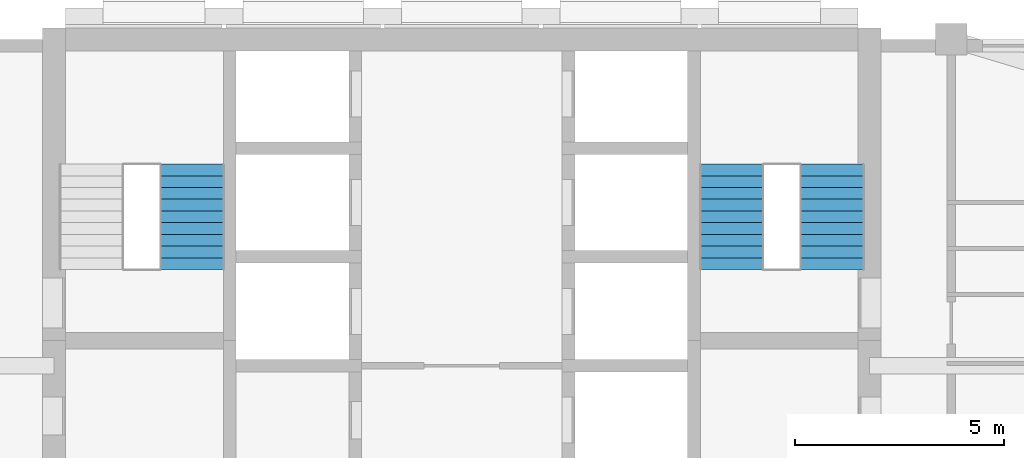
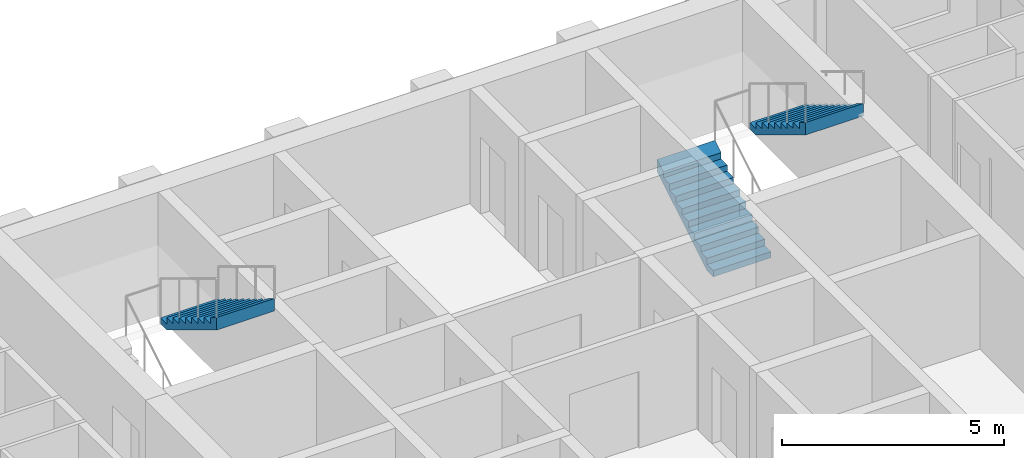
# One storey, part 11 of 14: 3 stair flights, 2 elements without a shape of their own.
"""IFC4 building model written with IfcOpenShell, lengths in metres."""

from ifc_helpers import new_model, si_unit, direction, frame, origin, place, context, subcontext, project, spatial, triangles, material, type_object, element, aggregate, save


model = new_model("IFC4")

# Units and contexts
model_context = context("Model", 3, precision=1e-05, world=origin(), true_north=direction((0.0, 1.0)))
body_context = subcontext(model_context, "Body", "Model", "MODEL_VIEW")
ifc_project = project(units=[si_unit("LENGTHUNIT", "METRE"), si_unit("AREAUNIT", "SQUARE_METRE"), si_unit("VOLUMEUNIT", "CUBIC_METRE"), si_unit("PLANEANGLEUNIT", "RADIAN"), si_unit("MASSUNIT", "GRAM", prefix="KILO")], contexts=[model_context])

# Site, building, storey
site_placement = place(None, origin())
site = spatial("IfcSite", under=ifc_project, at=site_placement, CompositionType="ELEMENT")
building_placement = place(site_placement, origin())
building = spatial("IfcBuilding", under=site, at=building_placement, Name="Ludao Terraces", CompositionType="ELEMENT")
storey_placement = place(building_placement, frame((0.0, 0.0, 182.60009765625)))
storey = spatial("IfcBuildingStorey", under=building, at=storey_placement, Name="L49", CompositionType="ELEMENT", Elevation=182.60009765625)

# Stair, stair flight
ifc_material = material(Name="Concrete C40", Category="concrete")
stair_type = type_object("IfcStairType", Name="INT Stair", PredefinedType="HALF_TURN_STAIR", material=ifc_material)
stair_1_placement = place(storey_placement, origin())
stair_1 = element("IfcStair", 1, at=stair_1_placement, inside=storey, type_object=stair_type, Name="EXIT STAIR 1", PredefinedType="HALF_TURN_STAIR")
stair_flight_type = type_object("IfcStairFlightType", Name="INT Stair flight", PredefinedType="STRAIGHT", material=ifc_material)
stair_flight_1_placement = place(storey_placement, frame((78.550048828125, 81.52001953125, 1.699951171875), z_axis=(0.0, 0.0, 1.0), x_axis=(0.0, -1.0, 0.0)))
stair_flight_1 = element("IfcStairFlight", 2, at=stair_flight_1_placement, type_object=stair_flight_type, Name="ST1 flight 2", NumberOfRisers=10, NumberOfTreads=9, PredefinedType="STRAIGHT", RiserHeight=0.17, TreadLength=0.28, context=body_context, shape_type="Tessellation", body=[
    triangles([(0.0, -0.75, 0.0), (0.0, -0.5, 0.0), (0.0, -0.25, 0.0), (0.0, 0.0, 0.0), (0.0, 0.25, 0.0), (0.0, 0.5, 0.0), (0.0, 0.75, 0.0), (0.0, -0.75, 0.169921875), (0.0, -0.5, 0.169921875), (0.0, -0.25, 0.169921875), (0.0, 0.0, 0.169921875), (0.0, 0.25, 0.169921875), (0.0, 0.5, 0.169921875), (0.0, 0.75, 0.169921875), (0.280029296875, -0.75, 0.169921875), (0.280029296875, -0.5, 0.169921875), (0.280029296875, -0.25, 0.169921875), (0.280029296875, 0.0, 0.169921875), (0.280029296875, 0.25, 0.169921875), (0.280029296875, 0.5, 0.169921875), (0.280029296875, 0.75, 0.169921875), (0.280029296875, -0.75, 0.340087890625), (0.280029296875, -0.5, 0.340087890625), (0.280029296875, -0.25, 0.340087890625), (0.280029296875, 0.0, 0.340087890625), (0.280029296875, 0.25, 0.340087890625), (0.280029296875, 0.5, 0.340087890625), (0.280029296875, 0.75, 0.340087890625), (0.56005859375, -0.75, 0.340087890625), (0.56005859375, -0.5, 0.340087890625), (0.56005859375, -0.25, 0.340087890625), (0.56005859375, 0.0, 0.340087890625), (0.56005859375, 0.25, 0.340087890625), (0.56005859375, 0.5, 0.340087890625), (0.56005859375, 0.75, 0.340087890625), (0.56005859375, -0.75, 0.510009765625), (0.56005859375, -0.5, 0.510009765625), (0.56005859375, -0.25, 0.510009765625), (0.56005859375, 0.0, 0.510009765625), (0.56005859375, 0.25, 0.510009765625), (0.56005859375, 0.5, 0.510009765625), (0.56005859375, 0.75, 0.510009765625), (0.840087890625, -0.75, 0.510009765625), (0.840087890625, -0.5, 0.510009765625), (0.840087890625, -0.25, 0.510009765625), (0.840087890625, 0.0, 0.510009765625), (0.840087890625, 0.25, 0.510009765625), (0.840087890625, 0.5, 0.510009765625), (0.840087890625, 0.75, 0.510009765625), (0.840087890625, -0.75, 0.679931640625), (0.840087890625, -0.5, 0.679931640625), (0.840087890625, -0.25, 0.679931640625), (0.840087890625, 0.0, 0.679931640625), (0.840087890625, 0.25, 0.679931640625), (0.840087890625, 0.5, 0.679931640625), (0.840087890625, 0.75, 0.679931640625), (1.1201171875, -0.75, 0.679931640625), (1.1201171875, -0.5, 0.679931640625), (1.1201171875, -0.25, 0.679931640625), (1.1201171875, 0.0, 0.679931640625), (1.1201171875, 0.25, 0.679931640625), (1.1201171875, 0.5, 0.679931640625), (1.1201171875, 0.75, 0.679931640625), (1.1201171875, -0.75, 0.85009765625), (1.1201171875, -0.5, 0.85009765625), (1.1201171875, -0.25, 0.85009765625), (1.1201171875, 0.0, 0.85009765625), (1.1201171875, 0.25, 0.85009765625), (1.1201171875, 0.5, 0.85009765625), (1.1201171875, 0.75, 0.85009765625), (1.39990234375, -0.75, 0.85009765625), (1.39990234375, -0.5, 0.85009765625), (1.39990234375, -0.25, 0.85009765625), (1.39990234375, 0.0, 0.85009765625), (1.39990234375, 0.25, 0.85009765625), (1.39990234375, 0.5, 0.85009765625), (1.39990234375, 0.75, 0.85009765625), (1.39990234375, -0.75, 1.02001953125), (1.39990234375, -0.5, 1.02001953125), (1.39990234375, -0.25, 1.02001953125), (1.39990234375, 0.0, 1.02001953125), (1.39990234375, 0.25, 1.02001953125), (1.39990234375, 0.5, 1.02001953125), (1.39990234375, 0.75, 1.02001953125), (1.679931640625, -0.75, 1.02001953125), (1.679931640625, -0.5, 1.02001953125), (1.679931640625, -0.25, 1.02001953125), (1.679931640625, 0.0, 1.02001953125), (1.679931640625, 0.25, 1.02001953125), (1.679931640625, 0.5, 1.02001953125), (1.679931640625, 0.75, 1.02001953125), (1.679931640625, -0.75, 1.18994140625), (1.679931640625, -0.5, 1.18994140625), (1.679931640625, -0.25, 1.18994140625), (1.679931640625, 0.0, 1.18994140625), (1.679931640625, 0.25, 1.18994140625), (1.679931640625, 0.5, 1.18994140625), (1.679931640625, 0.75, 1.18994140625), (1.9599609375, -0.75, 1.18994140625), (1.9599609375, -0.5, 1.18994140625), (1.9599609375, -0.25, 1.18994140625), (1.9599609375, 0.0, 1.18994140625), (1.9599609375, 0.25, 1.18994140625), (1.9599609375, 0.5, 1.18994140625), (1.9599609375, 0.75, 1.18994140625), (1.9599609375, -0.75, 1.360107421875), (1.9599609375, -0.5, 1.360107421875), (1.9599609375, -0.25, 1.360107421875), (1.9599609375, 0.0, 1.360107421875), (1.9599609375, 0.25, 1.360107421875), (1.9599609375, 0.5, 1.360107421875), (1.9599609375, 0.75, 1.360107421875), (2.239990234375, -0.75, 1.360107421875), (2.239990234375, -0.5, 1.360107421875), (2.239990234375, -0.25, 1.360107421875), (2.239990234375, 0.0, 1.360107421875), (2.239990234375, 0.25, 1.360107421875), (2.239990234375, 0.5, 1.360107421875), (2.239990234375, 0.75, 1.360107421875), (2.239990234375, -0.75, 1.530029296875), (2.239990234375, -0.5, 1.530029296875), (2.239990234375, -0.25, 1.530029296875), (2.239990234375, 0.0, 1.530029296875), (2.239990234375, 0.25, 1.530029296875), (2.239990234375, 0.5, 1.530029296875), (2.239990234375, 0.75, 1.530029296875), (2.52001953125, -0.75, 1.699951171875), (2.52001953125, -0.5, 1.699951171875), (2.52001953125, -0.25, 1.699951171875), (2.52001953125, 0.0, 1.699951171875), (2.52001953125, 0.25, 1.699951171875), (2.52001953125, 0.5, 1.699951171875), (2.52001953125, 0.75, 1.699951171875), (2.52001953125, -0.75, 1.354736328125), (2.52001953125, -0.5, 1.354736328125), (2.52001953125, -0.25, 1.354736328125), (2.52001953125, 0.0, 1.354736328125), (2.52001953125, 0.25, 1.354736328125), (2.52001953125, 0.5, 1.354736328125), (2.52001953125, 0.75, 1.354736328125), (0.288818359375, -0.75, 0.0), (0.288818359375, -0.5, 0.0), (0.288818359375, -0.25, 0.0), (0.288818359375, 0.0, 0.0), (0.288818359375, 0.25, 0.0), (0.288818359375, 0.5, 0.0), (0.288818359375, 0.75, 0.0)], [[1, 141, 134], [7, 140, 147], [134, 127, 120], [140, 126, 133], [134, 120, 113], [140, 119, 126], [134, 113, 106], [140, 112, 119], [134, 106, 99], [140, 105, 112], [99, 92, 85], [105, 91, 98], [134, 99, 85], [140, 91, 105], [85, 78, 71], [91, 77, 84], [134, 85, 71], [140, 77, 91], [71, 64, 57], [77, 63, 70], [134, 71, 57], [140, 63, 77], [57, 50, 43], [63, 49, 56], [134, 57, 43], [140, 49, 63], [43, 36, 29], [49, 35, 42], [134, 43, 29], [140, 35, 49], [29, 22, 15], [35, 21, 28], [134, 29, 15], [140, 21, 35], [1, 134, 15], [7, 21, 140], [15, 8, 1], [21, 7, 14], [1, 9, 2], [1, 8, 9], [2, 10, 3], [2, 9, 10], [3, 11, 4], [3, 10, 11], [4, 12, 5], [4, 11, 12], [5, 13, 6], [5, 12, 13], [6, 14, 7], [6, 13, 14], [8, 16, 9], [8, 15, 16], [9, 17, 10], [9, 16, 17], [10, 18, 11], [10, 17, 18], [11, 19, 12], [11, 18, 19], [12, 20, 13], [12, 19, 20], [13, 21, 14], [13, 20, 21], [15, 23, 16], [15, 22, 23], [16, 24, 17], [16, 23, 24], [17, 25, 18], [17, 24, 25], [18, 26, 19], [18, 25, 26], [19, 27, 20], [19, 26, 27], [20, 28, 21], [20, 27, 28], [22, 30, 23], [22, 29, 30], [23, 31, 24], [23, 30, 31], [24, 32, 25], [24, 31, 32], [25, 33, 26], [25, 32, 33], [26, 34, 27], [26, 33, 34], [27, 35, 28], [27, 34, 35], [29, 37, 30], [29, 36, 37], [30, 38, 31], [30, 37, 38], [31, 39, 32], [31, 38, 39], [32, 40, 33], [32, 39, 40], [33, 41, 34], [33, 40, 41], [34, 42, 35], [34, 41, 42], [36, 44, 37], [36, 43, 44], [37, 45, 38], [37, 44, 45], [38, 46, 39], [38, 45, 46], [39, 47, 40], [39, 46, 47], [40, 48, 41], [40, 47, 48], [41, 49, 42], [41, 48, 49], [43, 51, 44], [43, 50, 51], [44, 52, 45], [44, 51, 52], [45, 53, 46], [45, 52, 53], [46, 54, 47], [46, 53, 54], [47, 55, 48], [47, 54, 55], [48, 56, 49], [48, 55, 56], [50, 58, 51], [50, 57, 58], [51, 59, 52], [51, 58, 59], [52, 60, 53], [52, 59, 60], [53, 61, 54], [53, 60, 61], [54, 62, 55], [54, 61, 62], [55, 63, 56], [55, 62, 63], [57, 65, 58], [57, 64, 65], [58, 66, 59], [58, 65, 66], [59, 67, 60], [59, 66, 67], [60, 68, 61], [60, 67, 68], [61, 69, 62], [61, 68, 69], [62, 70, 63], [62, 69, 70], [64, 72, 65], [64, 71, 72], [65, 73, 66], [65, 72, 73], [66, 74, 67], [66, 73, 74], [67, 75, 68], [67, 74, 75], [68, 76, 69], [68, 75, 76], [69, 77, 70], [69, 76, 77], [71, 79, 72], [71, 78, 79], [72, 80, 73], [72, 79, 80], [73, 81, 74], [73, 80, 81], [74, 82, 75], [74, 81, 82], [75, 83, 76], [75, 82, 83], [76, 84, 77], [76, 83, 84], [78, 86, 79], [78, 85, 86], [79, 87, 80], [79, 86, 87], [80, 88, 81], [80, 87, 88], [81, 89, 82], [81, 88, 89], [82, 90, 83], [82, 89, 90], [83, 91, 84], [83, 90, 91], [85, 93, 86], [85, 92, 93], [86, 94, 87], [86, 93, 94], [87, 95, 88], [87, 94, 95], [88, 96, 89], [88, 95, 96], [89, 97, 90], [89, 96, 97], [90, 98, 91], [90, 97, 98], [92, 100, 93], [92, 99, 100], [93, 101, 94], [93, 100, 101], [94, 102, 95], [94, 101, 102], [95, 103, 96], [95, 102, 103], [96, 104, 97], [96, 103, 104], [97, 105, 98], [97, 104, 105], [99, 107, 100], [99, 106, 107], [100, 108, 101], [100, 107, 108], [101, 109, 102], [101, 108, 109], [102, 110, 103], [102, 109, 110], [103, 111, 104], [103, 110, 111], [104, 112, 105], [104, 111, 112], [106, 114, 107], [106, 113, 114], [107, 115, 108], [107, 114, 115], [108, 116, 109], [108, 115, 116], [109, 117, 110], [109, 116, 117], [110, 118, 111], [110, 117, 118], [111, 119, 112], [111, 118, 119], [113, 121, 114], [113, 120, 121], [114, 122, 115], [114, 121, 122], [115, 123, 116], [115, 122, 123], [116, 124, 117], [116, 123, 124], [117, 125, 118], [117, 124, 125], [118, 126, 119], [118, 125, 126], [120, 128, 121], [120, 127, 128], [121, 129, 122], [121, 128, 129], [122, 130, 123], [122, 129, 130], [123, 131, 124], [123, 130, 131], [124, 132, 125], [124, 131, 132], [125, 133, 126], [125, 132, 133], [127, 135, 128], [127, 134, 135], [128, 136, 129], [128, 135, 136], [129, 137, 130], [129, 136, 137], [130, 138, 131], [130, 137, 138], [131, 139, 132], [131, 138, 139], [132, 140, 133], [132, 139, 140], [134, 142, 135], [134, 141, 142], [135, 143, 136], [135, 142, 143], [136, 144, 137], [136, 143, 144], [137, 145, 138], [137, 144, 145], [138, 146, 139], [138, 145, 146], [139, 147, 140], [139, 146, 147], [141, 2, 142], [141, 1, 2], [142, 3, 143], [142, 2, 3], [143, 4, 144], [143, 3, 4], [144, 5, 145], [144, 4, 5], [145, 6, 146], [145, 5, 6], [146, 7, 147], [146, 6, 7]], closed=True),
])
aggregate(stair_1, [stair_flight_1])

# Stair, stair flights
stair_2_placement = place(storey_placement, origin())
stair_2 = element("IfcStair", 3, at=stair_2_placement, inside=storey, type_object=stair_type, Name="EXIT STAIR 2", PredefinedType="HALF_TURN_STAIR")
stair_flight_2_placement = place(storey_placement, frame((91.449951171875, 79.0, 0.0), z_axis=(0.0, 0.0, 1.0), x_axis=(0.0, 1.0, 0.0)))
stair_flight_2 = element("IfcStairFlight", 4, at=stair_flight_2_placement, type_object=stair_flight_type, Name="ST2 flight 1", NumberOfRisers=10, NumberOfTreads=9, PredefinedType="STRAIGHT", RiserHeight=0.17, TreadLength=0.28, context=body_context, shape_type="Tessellation", body=[
    triangles([(0.0, -0.75, 0.0), (0.0, -0.5, 0.0), (0.0, -0.25, 0.0), (0.0, 0.0, 0.0), (0.0, 0.25, 0.0), (0.0, 0.5, 0.0), (0.0, 0.75, 0.0), (0.0, -0.75, 0.169921875), (0.0, -0.5, 0.169921875), (0.0, -0.25, 0.169921875), (0.0, 0.0, 0.169921875), (0.0, 0.25, 0.169921875), (0.0, 0.5, 0.169921875), (0.0, 0.75, 0.169921875), (0.280029296875, -0.75, 0.169921875), (0.280029296875, -0.5, 0.169921875), (0.280029296875, -0.25, 0.169921875), (0.280029296875, 0.0, 0.169921875), (0.280029296875, 0.25, 0.169921875), (0.280029296875, 0.5, 0.169921875), (0.280029296875, 0.75, 0.169921875), (0.280029296875, -0.75, 0.340087890625), (0.280029296875, -0.5, 0.340087890625), (0.280029296875, -0.25, 0.340087890625), (0.280029296875, 0.0, 0.340087890625), (0.280029296875, 0.25, 0.340087890625), (0.280029296875, 0.5, 0.340087890625), (0.280029296875, 0.75, 0.340087890625), (0.56005859375, -0.75, 0.340087890625), (0.56005859375, -0.5, 0.340087890625), (0.56005859375, -0.25, 0.340087890625), (0.56005859375, 0.0, 0.340087890625), (0.56005859375, 0.25, 0.340087890625), (0.56005859375, 0.5, 0.340087890625), (0.56005859375, 0.75, 0.340087890625), (0.56005859375, -0.75, 0.510009765625), (0.56005859375, -0.5, 0.510009765625), (0.56005859375, -0.25, 0.510009765625), (0.56005859375, 0.0, 0.510009765625), (0.56005859375, 0.25, 0.510009765625), (0.56005859375, 0.5, 0.510009765625), (0.56005859375, 0.75, 0.510009765625), (0.840087890625, -0.75, 0.510009765625), (0.840087890625, -0.5, 0.510009765625), (0.840087890625, -0.25, 0.510009765625), (0.840087890625, 0.0, 0.510009765625), (0.840087890625, 0.25, 0.510009765625), (0.840087890625, 0.5, 0.510009765625), (0.840087890625, 0.75, 0.510009765625), (0.840087890625, -0.75, 0.679931640625), (0.840087890625, -0.5, 0.679931640625), (0.840087890625, -0.25, 0.679931640625), (0.840087890625, 0.0, 0.679931640625), (0.840087890625, 0.25, 0.679931640625), (0.840087890625, 0.5, 0.679931640625), (0.840087890625, 0.75, 0.679931640625), (1.1201171875, -0.75, 0.679931640625), (1.1201171875, -0.5, 0.679931640625), (1.1201171875, -0.25, 0.679931640625), (1.1201171875, 0.0, 0.679931640625), (1.1201171875, 0.25, 0.679931640625), (1.1201171875, 0.5, 0.679931640625), (1.1201171875, 0.75, 0.679931640625), (1.1201171875, -0.75, 0.85009765625), (1.1201171875, -0.5, 0.85009765625), (1.1201171875, -0.25, 0.85009765625), (1.1201171875, 0.0, 0.85009765625), (1.1201171875, 0.25, 0.85009765625), (1.1201171875, 0.5, 0.85009765625), (1.1201171875, 0.75, 0.85009765625), (1.39990234375, -0.75, 0.85009765625), (1.39990234375, -0.5, 0.85009765625), (1.39990234375, -0.25, 0.85009765625), (1.39990234375, 0.0, 0.85009765625), (1.39990234375, 0.25, 0.85009765625), (1.39990234375, 0.5, 0.85009765625), (1.39990234375, 0.75, 0.85009765625), (1.39990234375, -0.75, 1.02001953125), (1.39990234375, -0.5, 1.02001953125), (1.39990234375, -0.25, 1.02001953125), (1.39990234375, 0.0, 1.02001953125), (1.39990234375, 0.25, 1.02001953125), (1.39990234375, 0.5, 1.02001953125), (1.39990234375, 0.75, 1.02001953125), (1.679931640625, -0.75, 1.02001953125), (1.679931640625, -0.5, 1.02001953125), (1.679931640625, -0.25, 1.02001953125), (1.679931640625, 0.0, 1.02001953125), (1.679931640625, 0.25, 1.02001953125), (1.679931640625, 0.5, 1.02001953125), (1.679931640625, 0.75, 1.02001953125), (1.679931640625, -0.75, 1.18994140625), (1.679931640625, -0.5, 1.18994140625), (1.679931640625, -0.25, 1.18994140625), (1.679931640625, 0.0, 1.18994140625), (1.679931640625, 0.25, 1.18994140625), (1.679931640625, 0.5, 1.18994140625), (1.679931640625, 0.75, 1.18994140625), (1.9599609375, -0.75, 1.18994140625), (1.9599609375, -0.5, 1.18994140625), (1.9599609375, -0.25, 1.18994140625), (1.9599609375, 0.0, 1.18994140625), (1.9599609375, 0.25, 1.18994140625), (1.9599609375, 0.5, 1.18994140625), (1.9599609375, 0.75, 1.18994140625), (1.9599609375, -0.75, 1.360107421875), (1.9599609375, -0.5, 1.360107421875), (1.9599609375, -0.25, 1.360107421875), (1.9599609375, 0.0, 1.360107421875), (1.9599609375, 0.25, 1.360107421875), (1.9599609375, 0.5, 1.360107421875), (1.9599609375, 0.75, 1.360107421875), (2.239990234375, -0.75, 1.360107421875), (2.239990234375, -0.5, 1.360107421875), (2.239990234375, -0.25, 1.360107421875), (2.239990234375, 0.0, 1.360107421875), (2.239990234375, 0.25, 1.360107421875), (2.239990234375, 0.5, 1.360107421875), (2.239990234375, 0.75, 1.360107421875), (2.239990234375, -0.75, 1.530029296875), (2.239990234375, -0.5, 1.530029296875), (2.239990234375, -0.25, 1.530029296875), (2.239990234375, 0.0, 1.530029296875), (2.239990234375, 0.25, 1.530029296875), (2.239990234375, 0.5, 1.530029296875), (2.239990234375, 0.75, 1.530029296875), (2.52001953125, -0.75, 1.699951171875), (2.52001953125, -0.5, 1.699951171875), (2.52001953125, -0.25, 1.699951171875), (2.52001953125, 0.0, 1.699951171875), (2.52001953125, 0.25, 1.699951171875), (2.52001953125, 0.5, 1.699951171875), (2.52001953125, 0.75, 1.699951171875), (2.52001953125, -0.75, 1.354736328125), (2.52001953125, -0.5, 1.354736328125), (2.52001953125, -0.25, 1.354736328125), (2.52001953125, 0.0, 1.354736328125), (2.52001953125, 0.25, 1.354736328125), (2.52001953125, 0.5, 1.354736328125), (2.52001953125, 0.75, 1.354736328125), (0.288818359375, -0.75, 0.0), (0.288818359375, -0.5, 0.0), (0.288818359375, -0.25, 0.0), (0.288818359375, 0.0, 0.0), (0.288818359375, 0.25, 0.0), (0.288818359375, 0.5, 0.0), (0.288818359375, 0.75, 0.0)], [[1, 141, 134], [7, 140, 147], [134, 127, 120], [140, 126, 133], [134, 120, 113], [140, 119, 126], [134, 113, 106], [140, 112, 119], [134, 106, 99], [140, 105, 112], [99, 92, 85], [105, 91, 98], [134, 99, 85], [140, 91, 105], [85, 78, 71], [91, 77, 84], [134, 85, 71], [140, 77, 91], [71, 64, 57], [77, 63, 70], [134, 71, 57], [140, 63, 77], [57, 50, 43], [63, 49, 56], [134, 57, 43], [140, 49, 63], [43, 36, 29], [49, 35, 42], [134, 43, 29], [140, 35, 49], [29, 22, 15], [35, 21, 28], [134, 29, 15], [140, 21, 35], [1, 134, 15], [7, 21, 140], [15, 8, 1], [21, 7, 14], [1, 9, 2], [1, 8, 9], [2, 10, 3], [2, 9, 10], [3, 11, 4], [3, 10, 11], [4, 12, 5], [4, 11, 12], [5, 13, 6], [5, 12, 13], [6, 14, 7], [6, 13, 14], [8, 16, 9], [8, 15, 16], [9, 17, 10], [9, 16, 17], [10, 18, 11], [10, 17, 18], [11, 19, 12], [11, 18, 19], [12, 20, 13], [12, 19, 20], [13, 21, 14], [13, 20, 21], [15, 23, 16], [15, 22, 23], [16, 24, 17], [16, 23, 24], [17, 25, 18], [17, 24, 25], [18, 26, 19], [18, 25, 26], [19, 27, 20], [19, 26, 27], [20, 28, 21], [20, 27, 28], [22, 30, 23], [22, 29, 30], [23, 31, 24], [23, 30, 31], [24, 32, 25], [24, 31, 32], [25, 33, 26], [25, 32, 33], [26, 34, 27], [26, 33, 34], [27, 35, 28], [27, 34, 35], [29, 37, 30], [29, 36, 37], [30, 38, 31], [30, 37, 38], [31, 39, 32], [31, 38, 39], [32, 40, 33], [32, 39, 40], [33, 41, 34], [33, 40, 41], [34, 42, 35], [34, 41, 42], [36, 44, 37], [36, 43, 44], [37, 45, 38], [37, 44, 45], [38, 46, 39], [38, 45, 46], [39, 47, 40], [39, 46, 47], [40, 48, 41], [40, 47, 48], [41, 49, 42], [41, 48, 49], [43, 51, 44], [43, 50, 51], [44, 52, 45], [44, 51, 52], [45, 53, 46], [45, 52, 53], [46, 54, 47], [46, 53, 54], [47, 55, 48], [47, 54, 55], [48, 56, 49], [48, 55, 56], [50, 58, 51], [50, 57, 58], [51, 59, 52], [51, 58, 59], [52, 60, 53], [52, 59, 60], [53, 61, 54], [53, 60, 61], [54, 62, 55], [54, 61, 62], [55, 63, 56], [55, 62, 63], [57, 65, 58], [57, 64, 65], [58, 66, 59], [58, 65, 66], [59, 67, 60], [59, 66, 67], [60, 68, 61], [60, 67, 68], [61, 69, 62], [61, 68, 69], [62, 70, 63], [62, 69, 70], [64, 72, 65], [64, 71, 72], [65, 73, 66], [65, 72, 73], [66, 74, 67], [66, 73, 74], [67, 75, 68], [67, 74, 75], [68, 76, 69], [68, 75, 76], [69, 77, 70], [69, 76, 77], [71, 79, 72], [71, 78, 79], [72, 80, 73], [72, 79, 80], [73, 81, 74], [73, 80, 81], [74, 82, 75], [74, 81, 82], [75, 83, 76], [75, 82, 83], [76, 84, 77], [76, 83, 84], [78, 86, 79], [78, 85, 86], [79, 87, 80], [79, 86, 87], [80, 88, 81], [80, 87, 88], [81, 89, 82], [81, 88, 89], [82, 90, 83], [82, 89, 90], [83, 91, 84], [83, 90, 91], [85, 93, 86], [85, 92, 93], [86, 94, 87], [86, 93, 94], [87, 95, 88], [87, 94, 95], [88, 96, 89], [88, 95, 96], [89, 97, 90], [89, 96, 97], [90, 98, 91], [90, 97, 98], [92, 100, 93], [92, 99, 100], [93, 101, 94], [93, 100, 101], [94, 102, 95], [94, 101, 102], [95, 103, 96], [95, 102, 103], [96, 104, 97], [96, 103, 104], [97, 105, 98], [97, 104, 105], [99, 107, 100], [99, 106, 107], [100, 108, 101], [100, 107, 108], [101, 109, 102], [101, 108, 109], [102, 110, 103], [102, 109, 110], [103, 111, 104], [103, 110, 111], [104, 112, 105], [104, 111, 112], [106, 114, 107], [106, 113, 114], [107, 115, 108], [107, 114, 115], [108, 116, 109], [108, 115, 116], [109, 117, 110], [109, 116, 117], [110, 118, 111], [110, 117, 118], [111, 119, 112], [111, 118, 119], [113, 121, 114], [113, 120, 121], [114, 122, 115], [114, 121, 122], [115, 123, 116], [115, 122, 123], [116, 124, 117], [116, 123, 124], [117, 125, 118], [117, 124, 125], [118, 126, 119], [118, 125, 126], [120, 128, 121], [120, 127, 128], [121, 129, 122], [121, 128, 129], [122, 130, 123], [122, 129, 130], [123, 131, 124], [123, 130, 131], [124, 132, 125], [124, 131, 132], [125, 133, 126], [125, 132, 133], [127, 135, 128], [127, 134, 135], [128, 136, 129], [128, 135, 136], [129, 137, 130], [129, 136, 137], [130, 138, 131], [130, 137, 138], [131, 139, 132], [131, 138, 139], [132, 140, 133], [132, 139, 140], [134, 142, 135], [134, 141, 142], [135, 143, 136], [135, 142, 143], [136, 144, 137], [136, 143, 144], [137, 145, 138], [137, 144, 145], [138, 146, 139], [138, 145, 146], [139, 147, 140], [139, 146, 147], [141, 2, 142], [141, 1, 2], [142, 3, 143], [142, 2, 3], [143, 4, 144], [143, 3, 4], [144, 5, 145], [144, 4, 5], [145, 6, 146], [145, 5, 6], [146, 7, 147], [146, 6, 7]], closed=True),
])
stair_flight_3_placement = place(storey_placement, frame((93.85009765625, 81.52001953125, 1.699951171875), z_axis=(0.0, 0.0, 1.0), x_axis=(0.0, -1.0, 0.0)))
stair_flight_3 = element("IfcStairFlight", 5, at=stair_flight_3_placement, type_object=stair_flight_type, Name="ST2 flight 2", NumberOfRisers=10, NumberOfTreads=9, PredefinedType="STRAIGHT", RiserHeight=0.17, TreadLength=0.28, context=body_context, shape_type="Tessellation", body=[
    triangles([(0.0, -0.75, 0.0), (0.0, -0.5, 0.0), (0.0, -0.25, 0.0), (0.0, 0.0, 0.0), (0.0, 0.25, 0.0), (0.0, 0.5, 0.0), (0.0, 0.75, 0.0), (0.0, -0.75, 0.169921875), (0.0, -0.5, 0.169921875), (0.0, -0.25, 0.169921875), (0.0, 0.0, 0.169921875), (0.0, 0.25, 0.169921875), (0.0, 0.5, 0.169921875), (0.0, 0.75, 0.169921875), (0.280029296875, -0.75, 0.169921875), (0.280029296875, -0.5, 0.169921875), (0.280029296875, -0.25, 0.169921875), (0.280029296875, 0.0, 0.169921875), (0.280029296875, 0.25, 0.169921875), (0.280029296875, 0.5, 0.169921875), (0.280029296875, 0.75, 0.169921875), (0.280029296875, -0.75, 0.340087890625), (0.280029296875, -0.5, 0.340087890625), (0.280029296875, -0.25, 0.340087890625), (0.280029296875, 0.0, 0.340087890625), (0.280029296875, 0.25, 0.340087890625), (0.280029296875, 0.5, 0.340087890625), (0.280029296875, 0.75, 0.340087890625), (0.56005859375, -0.75, 0.340087890625), (0.56005859375, -0.5, 0.340087890625), (0.56005859375, -0.25, 0.340087890625), (0.56005859375, 0.0, 0.340087890625), (0.56005859375, 0.25, 0.340087890625), (0.56005859375, 0.5, 0.340087890625), (0.56005859375, 0.75, 0.340087890625), (0.56005859375, -0.75, 0.510009765625), (0.56005859375, -0.5, 0.510009765625), (0.56005859375, -0.25, 0.510009765625), (0.56005859375, 0.0, 0.510009765625), (0.56005859375, 0.25, 0.510009765625), (0.56005859375, 0.5, 0.510009765625), (0.56005859375, 0.75, 0.510009765625), (0.840087890625, -0.75, 0.510009765625), (0.840087890625, -0.5, 0.510009765625), (0.840087890625, -0.25, 0.510009765625), (0.840087890625, 0.0, 0.510009765625), (0.840087890625, 0.25, 0.510009765625), (0.840087890625, 0.5, 0.510009765625), (0.840087890625, 0.75, 0.510009765625), (0.840087890625, -0.75, 0.679931640625), (0.840087890625, -0.5, 0.679931640625), (0.840087890625, -0.25, 0.679931640625), (0.840087890625, 0.0, 0.679931640625), (0.840087890625, 0.25, 0.679931640625), (0.840087890625, 0.5, 0.679931640625), (0.840087890625, 0.75, 0.679931640625), (1.1201171875, -0.75, 0.679931640625), (1.1201171875, -0.5, 0.679931640625), (1.1201171875, -0.25, 0.679931640625), (1.1201171875, 0.0, 0.679931640625), (1.1201171875, 0.25, 0.679931640625), (1.1201171875, 0.5, 0.679931640625), (1.1201171875, 0.75, 0.679931640625), (1.1201171875, -0.75, 0.85009765625), (1.1201171875, -0.5, 0.85009765625), (1.1201171875, -0.25, 0.85009765625), (1.1201171875, 0.0, 0.85009765625), (1.1201171875, 0.25, 0.85009765625), (1.1201171875, 0.5, 0.85009765625), (1.1201171875, 0.75, 0.85009765625), (1.39990234375, -0.75, 0.85009765625), (1.39990234375, -0.5, 0.85009765625), (1.39990234375, -0.25, 0.85009765625), (1.39990234375, 0.0, 0.85009765625), (1.39990234375, 0.25, 0.85009765625), (1.39990234375, 0.5, 0.85009765625), (1.39990234375, 0.75, 0.85009765625), (1.39990234375, -0.75, 1.02001953125), (1.39990234375, -0.5, 1.02001953125), (1.39990234375, -0.25, 1.02001953125), (1.39990234375, 0.0, 1.02001953125), (1.39990234375, 0.25, 1.02001953125), (1.39990234375, 0.5, 1.02001953125), (1.39990234375, 0.75, 1.02001953125), (1.679931640625, -0.75, 1.02001953125), (1.679931640625, -0.5, 1.02001953125), (1.679931640625, -0.25, 1.02001953125), (1.679931640625, 0.0, 1.02001953125), (1.679931640625, 0.25, 1.02001953125), (1.679931640625, 0.5, 1.02001953125), (1.679931640625, 0.75, 1.02001953125), (1.679931640625, -0.75, 1.18994140625), (1.679931640625, -0.5, 1.18994140625), (1.679931640625, -0.25, 1.18994140625), (1.679931640625, 0.0, 1.18994140625), (1.679931640625, 0.25, 1.18994140625), (1.679931640625, 0.5, 1.18994140625), (1.679931640625, 0.75, 1.18994140625), (1.9599609375, -0.75, 1.18994140625), (1.9599609375, -0.5, 1.18994140625), (1.9599609375, -0.25, 1.18994140625), (1.9599609375, 0.0, 1.18994140625), (1.9599609375, 0.25, 1.18994140625), (1.9599609375, 0.5, 1.18994140625), (1.9599609375, 0.75, 1.18994140625), (1.9599609375, -0.75, 1.360107421875), (1.9599609375, -0.5, 1.360107421875), (1.9599609375, -0.25, 1.360107421875), (1.9599609375, 0.0, 1.360107421875), (1.9599609375, 0.25, 1.360107421875), (1.9599609375, 0.5, 1.360107421875), (1.9599609375, 0.75, 1.360107421875), (2.239990234375, -0.75, 1.360107421875), (2.239990234375, -0.5, 1.360107421875), (2.239990234375, -0.25, 1.360107421875), (2.239990234375, 0.0, 1.360107421875), (2.239990234375, 0.25, 1.360107421875), (2.239990234375, 0.5, 1.360107421875), (2.239990234375, 0.75, 1.360107421875), (2.239990234375, -0.75, 1.530029296875), (2.239990234375, -0.5, 1.530029296875), (2.239990234375, -0.25, 1.530029296875), (2.239990234375, 0.0, 1.530029296875), (2.239990234375, 0.25, 1.530029296875), (2.239990234375, 0.5, 1.530029296875), (2.239990234375, 0.75, 1.530029296875), (2.52001953125, -0.75, 1.699951171875), (2.52001953125, -0.5, 1.699951171875), (2.52001953125, -0.25, 1.699951171875), (2.52001953125, 0.0, 1.699951171875), (2.52001953125, 0.25, 1.699951171875), (2.52001953125, 0.5, 1.699951171875), (2.52001953125, 0.75, 1.699951171875), (2.52001953125, -0.75, 1.354736328125), (2.52001953125, -0.5, 1.354736328125), (2.52001953125, -0.25, 1.354736328125), (2.52001953125, 0.0, 1.354736328125), (2.52001953125, 0.25, 1.354736328125), (2.52001953125, 0.5, 1.354736328125), (2.52001953125, 0.75, 1.354736328125), (0.288818359375, -0.75, 0.0), (0.288818359375, -0.5, 0.0), (0.288818359375, -0.25, 0.0), (0.288818359375, 0.0, 0.0), (0.288818359375, 0.25, 0.0), (0.288818359375, 0.5, 0.0), (0.288818359375, 0.75, 0.0)], [[1, 141, 134], [7, 140, 147], [134, 127, 120], [140, 126, 133], [134, 120, 113], [140, 119, 126], [134, 113, 106], [140, 112, 119], [134, 106, 99], [140, 105, 112], [99, 92, 85], [105, 91, 98], [134, 99, 85], [140, 91, 105], [85, 78, 71], [91, 77, 84], [134, 85, 71], [140, 77, 91], [71, 64, 57], [77, 63, 70], [134, 71, 57], [140, 63, 77], [57, 50, 43], [63, 49, 56], [134, 57, 43], [140, 49, 63], [43, 36, 29], [49, 35, 42], [134, 43, 29], [140, 35, 49], [29, 22, 15], [35, 21, 28], [134, 29, 15], [140, 21, 35], [1, 134, 15], [7, 21, 140], [15, 8, 1], [21, 7, 14], [1, 9, 2], [1, 8, 9], [2, 10, 3], [2, 9, 10], [3, 11, 4], [3, 10, 11], [4, 12, 5], [4, 11, 12], [5, 13, 6], [5, 12, 13], [6, 14, 7], [6, 13, 14], [8, 16, 9], [8, 15, 16], [9, 17, 10], [9, 16, 17], [10, 18, 11], [10, 17, 18], [11, 19, 12], [11, 18, 19], [12, 20, 13], [12, 19, 20], [13, 21, 14], [13, 20, 21], [15, 23, 16], [15, 22, 23], [16, 24, 17], [16, 23, 24], [17, 25, 18], [17, 24, 25], [18, 26, 19], [18, 25, 26], [19, 27, 20], [19, 26, 27], [20, 28, 21], [20, 27, 28], [22, 30, 23], [22, 29, 30], [23, 31, 24], [23, 30, 31], [24, 32, 25], [24, 31, 32], [25, 33, 26], [25, 32, 33], [26, 34, 27], [26, 33, 34], [27, 35, 28], [27, 34, 35], [29, 37, 30], [29, 36, 37], [30, 38, 31], [30, 37, 38], [31, 39, 32], [31, 38, 39], [32, 40, 33], [32, 39, 40], [33, 41, 34], [33, 40, 41], [34, 42, 35], [34, 41, 42], [36, 44, 37], [36, 43, 44], [37, 45, 38], [37, 44, 45], [38, 46, 39], [38, 45, 46], [39, 47, 40], [39, 46, 47], [40, 48, 41], [40, 47, 48], [41, 49, 42], [41, 48, 49], [43, 51, 44], [43, 50, 51], [44, 52, 45], [44, 51, 52], [45, 53, 46], [45, 52, 53], [46, 54, 47], [46, 53, 54], [47, 55, 48], [47, 54, 55], [48, 56, 49], [48, 55, 56], [50, 58, 51], [50, 57, 58], [51, 59, 52], [51, 58, 59], [52, 60, 53], [52, 59, 60], [53, 61, 54], [53, 60, 61], [54, 62, 55], [54, 61, 62], [55, 63, 56], [55, 62, 63], [57, 65, 58], [57, 64, 65], [58, 66, 59], [58, 65, 66], [59, 67, 60], [59, 66, 67], [60, 68, 61], [60, 67, 68], [61, 69, 62], [61, 68, 69], [62, 70, 63], [62, 69, 70], [64, 72, 65], [64, 71, 72], [65, 73, 66], [65, 72, 73], [66, 74, 67], [66, 73, 74], [67, 75, 68], [67, 74, 75], [68, 76, 69], [68, 75, 76], [69, 77, 70], [69, 76, 77], [71, 79, 72], [71, 78, 79], [72, 80, 73], [72, 79, 80], [73, 81, 74], [73, 80, 81], [74, 82, 75], [74, 81, 82], [75, 83, 76], [75, 82, 83], [76, 84, 77], [76, 83, 84], [78, 86, 79], [78, 85, 86], [79, 87, 80], [79, 86, 87], [80, 88, 81], [80, 87, 88], [81, 89, 82], [81, 88, 89], [82, 90, 83], [82, 89, 90], [83, 91, 84], [83, 90, 91], [85, 93, 86], [85, 92, 93], [86, 94, 87], [86, 93, 94], [87, 95, 88], [87, 94, 95], [88, 96, 89], [88, 95, 96], [89, 97, 90], [89, 96, 97], [90, 98, 91], [90, 97, 98], [92, 100, 93], [92, 99, 100], [93, 101, 94], [93, 100, 101], [94, 102, 95], [94, 101, 102], [95, 103, 96], [95, 102, 103], [96, 104, 97], [96, 103, 104], [97, 105, 98], [97, 104, 105], [99, 107, 100], [99, 106, 107], [100, 108, 101], [100, 107, 108], [101, 109, 102], [101, 108, 109], [102, 110, 103], [102, 109, 110], [103, 111, 104], [103, 110, 111], [104, 112, 105], [104, 111, 112], [106, 114, 107], [106, 113, 114], [107, 115, 108], [107, 114, 115], [108, 116, 109], [108, 115, 116], [109, 117, 110], [109, 116, 117], [110, 118, 111], [110, 117, 118], [111, 119, 112], [111, 118, 119], [113, 121, 114], [113, 120, 121], [114, 122, 115], [114, 121, 122], [115, 123, 116], [115, 122, 123], [116, 124, 117], [116, 123, 124], [117, 125, 118], [117, 124, 125], [118, 126, 119], [118, 125, 126], [120, 128, 121], [120, 127, 128], [121, 129, 122], [121, 128, 129], [122, 130, 123], [122, 129, 130], [123, 131, 124], [123, 130, 131], [124, 132, 125], [124, 131, 132], [125, 133, 126], [125, 132, 133], [127, 135, 128], [127, 134, 135], [128, 136, 129], [128, 135, 136], [129, 137, 130], [129, 136, 137], [130, 138, 131], [130, 137, 138], [131, 139, 132], [131, 138, 139], [132, 140, 133], [132, 139, 140], [134, 142, 135], [134, 141, 142], [135, 143, 136], [135, 142, 143], [136, 144, 137], [136, 143, 144], [137, 145, 138], [137, 144, 145], [138, 146, 139], [138, 145, 146], [139, 147, 140], [139, 146, 147], [141, 2, 142], [141, 1, 2], [142, 3, 143], [142, 2, 3], [143, 4, 144], [143, 3, 4], [144, 5, 145], [144, 4, 5], [145, 6, 146], [145, 5, 6], [146, 7, 147], [146, 6, 7]], closed=True),
])
aggregate(stair_2, [stair_flight_2, stair_flight_3])

save(model, "model.ifc")
